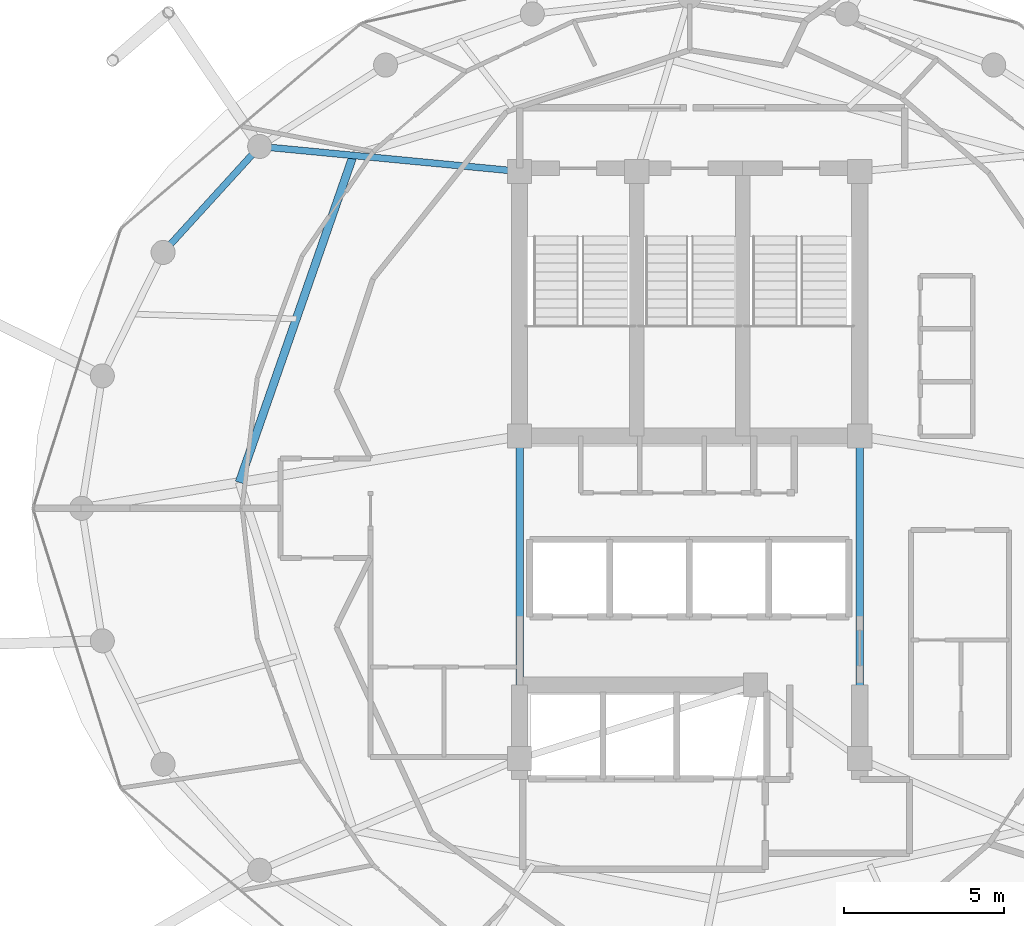
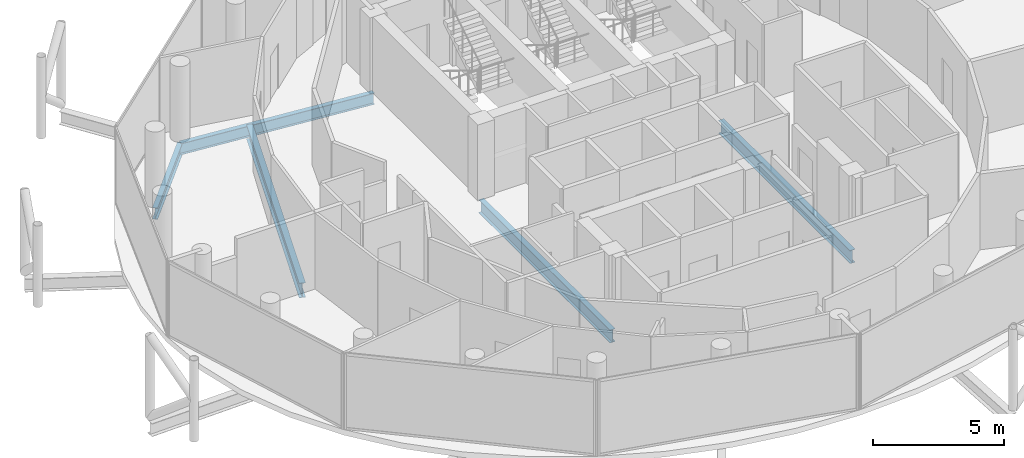
# One storey, part 8 of 24: 5 beams.
"""IFC4 building model written with IfcOpenShell, lengths in metres."""

import ifcopenshell
import ifcopenshell.guid

model = None  # the IFC model being written
_history = None  # IfcOwnerHistory: only IFC2X3 demands one
_inside = {}  # id of a spatial element -> (the spatial element, [elements in it])
_under = {}  # id of a project, library or spatial element -> (it, [spatial elements below it])
_declared = {}  # id of a project -> (the project, [libraries it declares])
_typed = {}  # id of a type object -> (the type object, [elements of that type])
_made_of = {}  # id of a material, layer set ... -> (it, [elements and type objects made of it])


def new_model(schema):
    """Start an empty IFC model of exactly this schema.

    Asked for "IFC4X3", IfcOpenShell would pick the latest addendum, in which some entities
    have other attributes; the version numbers below select the first issue.
    IFC2X3 requires an IfcOwnerHistory on every rooted entity: one is made here for all.
    """
    global model, _history
    if schema == "IFC4X3":
        model = ifcopenshell.file(schema_version=(4, 3, 0, 0))
    else:
        model = ifcopenshell.file(schema=schema)
    _inside.clear()
    _under.clear()
    _declared.clear()
    _typed.clear()
    _made_of.clear()
    _history = None
    if model.schema == "IFC2X3":
        org = make("IfcOrganization", Name="unknown")
        user = make(
            "IfcPersonAndOrganization",
            ThePerson=make("IfcPerson", FamilyName="unknown"),
            TheOrganization=org,
        )
        app = make(
            "IfcApplication",
            ApplicationDeveloper=org,
            Version="unknown",
            ApplicationFullName="unknown",
            ApplicationIdentifier="unknown",
        )
        _history = make(
            "IfcOwnerHistory",
            OwningUser=user,
            OwningApplication=app,
            ChangeAction="ADDED",
            CreationDate=0,
        )
    return model


def make(cls, **values):
    """One entity of the class cls with the attributes given. An attribute that is None is left unset."""
    return model.create_entity(
        cls, **{name: value for name, value in values.items() if value is not None}
    )


def rooted(cls, **values):
    """An entity with a GlobalId (a new one), such as an element, a storey or a relation."""
    return make(cls, GlobalId=ifcopenshell.guid.new(), OwnerHistory=_history, **values)


def si_unit(unit_type, name, prefix=None):
    """IfcSIUnit, for example si_unit("LENGTHUNIT", "METRE", prefix="MILLI")."""
    return make("IfcSIUnit", UnitType=unit_type, Prefix=prefix, Name=name)


def assignment(units):
    """IfcUnitAssignment: the units of a project."""
    return None if units is None else make("IfcUnitAssignment", Units=units)


def point(xyz):
    """IfcCartesianPoint."""
    return None if xyz is None else make("IfcCartesianPoint", Coordinates=xyz)


def direction(xyz):
    """IfcDirection."""
    return None if xyz is None else make("IfcDirection", DirectionRatios=xyz)


def frame(location, z_axis=None, x_axis=None):
    """IfcAxis2Placement3D, a coordinate frame: its origin and axes. An axis left out is left unset."""
    return make(
        "IfcAxis2Placement3D",
        Location=point(location),
        Axis=direction(z_axis),
        RefDirection=direction(x_axis),
    )


def frame_2d(location, x_axis=None):
    """IfcAxis2Placement2D, a coordinate frame in the plane: its origin and x axis."""
    return make(
        "IfcAxis2Placement2D", Location=point(location), RefDirection=direction(x_axis)
    )


def origin():
    """The frame at (0, 0, 0) with its axes left unset."""
    return frame((0.0, 0.0, 0.0))


def origin_2d():
    """The frame at (0, 0) in the plane with its x axis left unset."""
    return frame_2d((0.0, 0.0))


def place(relative_to, where):
    """IfcLocalPlacement: puts the frame where relative to a parent placement (None: the world)."""
    return make(
        "IfcLocalPlacement", PlacementRelTo=relative_to, RelativePlacement=where
    )


def context(
    kind, dimensions, precision=None, world=None, true_north=None, identifier=None
):
    """IfcGeometricRepresentationContext, for example the 3D "Model" context."""
    return make(
        "IfcGeometricRepresentationContext",
        ContextIdentifier=identifier,
        ContextType=kind,
        CoordinateSpaceDimension=dimensions,
        Precision=precision,
        WorldCoordinateSystem=world,
        TrueNorth=true_north,
    )


def subcontext(parent, identifier, kind, view, scale=None):
    """IfcGeometricRepresentationSubContext, for example "Body" below "Model"."""
    return make(
        "IfcGeometricRepresentationSubContext",
        ContextIdentifier=identifier,
        ContextType=kind,
        ParentContext=parent,
        TargetScale=scale,
        TargetView=view,
    )


def project(units=None, contexts=None):
    """IfcProject with its units and contexts."""
    return rooted(
        "IfcProject",
        Name="project",
        RepresentationContexts=contexts,
        UnitsInContext=assignment(units),
    )


def spatial(cls, under=None, at=None, **own):
    """A site, building, storey or space (cls), placed at a placement, below another one or the project."""
    s = rooted(cls, ObjectPlacement=at, **own)
    if under is not None:
        _under.setdefault(under.id(), (under, []))[1].append(s)
    return s


def profile(cls, at=None, kind="AREA", **sizes):
    """A parametric profile (cls). Its sizes go by their IFC names, for example OverallWidth=200.0."""
    return make(cls, ProfileType=kind, Position=at, **sizes)


def i_section(**sizes):
    """IfcIShapeProfileDef."""
    return profile("IfcIShapeProfileDef", **sizes)


def extrude(swept, where, along, depth):
    """IfcExtrudedAreaSolid: the profile swept, set in the frame where, extruded along a direction by depth."""
    return make(
        "IfcExtrudedAreaSolid",
        SweptArea=swept,
        Position=where,
        ExtrudedDirection=direction(along),
        Depth=depth,
    )


def shape(context_of_items, identifier, shape_type, items):
    """IfcShapeRepresentation: the items that make up one representation, for example the "Body"."""
    return make(
        "IfcShapeRepresentation",
        ContextOfItems=context_of_items,
        RepresentationIdentifier=identifier,
        RepresentationType=shape_type,
        Items=items,
    )


def material(Name=None, Category=None):
    """IfcMaterial."""
    return make("IfcMaterial", Name=Name, Category=Category)


def material_profile(
    of_material, cross_section, Name=None, Category=None, Priority=None
):
    """IfcMaterialProfile: a cross section and its material."""
    return make(
        "IfcMaterialProfile",
        Name=Name,
        Material=of_material,
        Profile=cross_section,
        Priority=Priority,
        Category=Category,
    )


def profile_set(profiles, Name=None, composite=None):
    """IfcMaterialProfileSet."""
    return make(
        "IfcMaterialProfileSet",
        Name=Name,
        MaterialProfiles=profiles,
        CompositeProfile=composite,
    )


def made_of(thing, what):
    """Note that an element or type object is made of a material, layer set ...; save() writes the relation."""
    if what is not None:
        _made_of.setdefault(what.id(), (what, []))[1].append(thing)
    return thing


def type_object(cls, material=None, **own):
    """A type object (cls), such as IfcWallType, which elements share."""
    return made_of(rooted(cls, **own), material)


def element(
    cls,
    number,
    at=None,
    inside=None,
    cuts=None,
    type_object=None,
    material=None,
    context=None,
    identifier="Body",
    shape_type=None,
    held_by="IfcProductDefinitionShape",
    body=None,
    shapes=None,
    **own,
):
    """One element of the class cls, such as IfcWall. Its Tag is "e" and its number.

    at: its placement. inside: the storey or other place that contains it. cuts: it is an
    opening in that element (IfcRelVoidsElement). A single representation is given by context,
    identifier, shape_type and body (its items); several are given by shapes. held_by: the class
    of the entity that holds the representations. save() writes the other relations.
    """
    e = rooted(cls, Tag="e%d" % number, ObjectPlacement=at, **own)
    if body is not None:
        shapes = [shape(context, identifier, shape_type, body)]
    if shapes is not None:
        e.Representation = make(held_by, Representations=shapes)
    if inside is not None:
        _inside.setdefault(inside.id(), (inside, []))[1].append(e)
    if cuts is not None:
        rooted(
            "IfcRelVoidsElement", RelatingBuildingElement=cuts, RelatedOpeningElement=e
        )
    if type_object is not None:
        _typed.setdefault(type_object.id(), (type_object, []))[1].append(e)
    return made_of(e, material)


def aggregate(whole, parts):
    """IfcRelAggregates: a whole, such as a stair, and the parts it consists of."""
    return rooted("IfcRelAggregates", RelatingObject=whole, RelatedObjects=parts)


def save(model, path):
    """Write the relations noted so far, then the file.

    IfcRelAggregates (storeys below a building ...), IfcRelContainedInSpatialStructure (elements
    in a storey), IfcRelDefinesByType, IfcRelAssociatesMaterial and IfcRelDeclares: one each for
    every whole, place, type object, material and project.
    """
    for whole, parts in _under.values():
        aggregate(whole, parts)
    for where, things in _inside.values():
        rooted(
            "IfcRelContainedInSpatialStructure",
            RelatedElements=things,
            RelatingStructure=where,
        )
    for kind, things in _typed.values():
        rooted("IfcRelDefinesByType", RelatedObjects=things, RelatingType=kind)
    for what, things in _made_of.values():
        rooted("IfcRelAssociatesMaterial", RelatedObjects=things, RelatingMaterial=what)
    for by, libraries in _declared.values():
        rooted("IfcRelDeclares", RelatingContext=by, RelatedDefinitions=libraries)
    model.write(path)


model = new_model("IFC4")

# Units and contexts
model_context = context("Model", 3, precision=1e-05, world=origin(), true_north=direction((0.0, 1.0)))
body_context = subcontext(model_context, "Body", "Model", "MODEL_VIEW")
ifc_project = project(units=[si_unit("LENGTHUNIT", "METRE"), si_unit("AREAUNIT", "SQUARE_METRE"), si_unit("VOLUMEUNIT", "CUBIC_METRE"), si_unit("PLANEANGLEUNIT", "RADIAN"), si_unit("MASSUNIT", "GRAM", prefix="KILO")], contexts=[model_context])

# Site, building, storey
site_placement = place(None, origin())
site = spatial("IfcSite", under=ifc_project, at=site_placement, CompositionType="ELEMENT")
building_placement = place(site_placement, origin())
building = spatial("IfcBuilding", under=site, at=building_placement, Name="Nuhasar Tower", CompositionType="ELEMENT")
storey_placement = place(building_placement, frame((0.0, 0.0, 293.60009765625)))
storey = spatial("IfcBuildingStorey", under=building, at=storey_placement, Name="L73", CompositionType="ELEMENT", Elevation=293.60009765625)

# Beams
ifc_material = material(Name="Steel S355", Category="steel")
ifc_material_profile_1 = material_profile(ifc_material, i_section(OverallWidth=0.25390625, OverallDepth=0.68408203125, WebThickness=0.012451171875, FlangeThickness=0.018798828125, at=origin_2d()), Name="W27X94")
ifc_profile_set_1 = profile_set([ifc_material_profile_1], Name="Steel S355")
beam_type_1 = type_object("IfcBeamType", Name="BM-INRING-W27X94", PredefinedType="BEAM", material=ifc_profile_set_1)
beam_1_placement = place(storey_placement, frame((28.51611328125, 37.798095703125, -0.60205078125), z_axis=(-0.329211236979, -0.944256300718, 0.0), x_axis=(0.944256300718, -0.329211236979, 0.0)))
element("IfcBeam", 1, at=beam_1_placement, inside=storey, type_object=beam_type_1, Name="L73 Inner Header Beam 07", PredefinedType="BEAM", context=body_context, shape_type="SweptSolid", body=[
    extrude(i_section(OverallWidth=0.25390625, OverallDepth=0.68408203125, WebThickness=0.012451171875, FlangeThickness=0.018798828125, at=origin_2d()), origin(), (0.0, 0.0, 1.0), 10.78955078125),
])
ifc_material_profile_2 = material_profile(ifc_material, i_section(OverallWidth=0.208984375, OverallDepth=0.528076171875, WebThickness=0.009521484375, FlangeThickness=0.01318359375, at=origin_2d()), Name="W21X55")
ifc_profile_set_2 = profile_set([ifc_material_profile_2], Name="Steel S355")
beam_type_2 = type_object("IfcBeamType", Name="BM-RAD-W21X55", PredefinedType="BEAM", material=ifc_profile_set_2)
beam_2_placement = place(storey_placement, frame((33.699951171875, 37.300048828125, -0.524169921875), z_axis=(-0.99542073054, 0.095590633496, 0.0), x_axis=(-0.095590633496, -0.99542073054, 0.0)))
element("IfcBeam", 2, at=beam_2_placement, inside=storey, type_object=beam_type_2, Name="L73 Radial Floor Girder 07", PredefinedType="BEAM", context=body_context, shape_type="SweptSolid", body=[
    extrude(i_section(OverallWidth=0.208984375, OverallDepth=0.528076171875, WebThickness=0.009521484375, FlangeThickness=0.01318359375, at=origin_2d()), origin(), (0.0, 0.0, 1.0), 8.13720703125),
])
ifc_material_profile_3 = material_profile(ifc_material, i_section(OverallWidth=0.22900390625, OverallDepth=0.612060546875, WebThickness=0.011962890625, FlangeThickness=0.01953125, at=origin_2d()), Name="W24X84")
ifc_profile_set_3 = profile_set([ifc_material_profile_3], Name="Steel S355")
beam_type_3 = type_object("IfcBeamType", Name="BM-RAD-W24X84", PredefinedType="BEAM", material=ifc_profile_set_3)
for number, where, z_axis, x_axis, name in (
    (3, (44.300048828125, 19.0, -0.566162109375), (0.0, 1.0, 0.0), (-1.0, 0.0, 0.0), "L73 Core Ring Girder 3"),
    (4, (33.699951171875, 29.050048828125, -0.566162109375), (0.0, -1.0, 0.0), (1.0, 0.0, 0.0), "L73 Core Ring Girder 8"),
):
    element("IfcBeam", number, at=place(storey_placement, frame(where, z_axis=z_axis, x_axis=x_axis)), inside=storey, type_object=beam_type_3, Name=name, PredefinedType="BEAM", context=body_context, shape_type="SweptSolid", body=[
        extrude(i_section(OverallWidth=0.22900390625, OverallDepth=0.612060546875, WebThickness=0.011962890625, FlangeThickness=0.01953125, at=origin_2d()), origin(), (0.0, 0.0, 1.0), 10.050048828125),
    ])
ifc_material_profile_4 = material_profile(ifc_material, i_section(OverallWidth=0.2099609375, OverallDepth=0.537109375, WebThickness=0.010986328125, FlangeThickness=0.017333984375, at=origin_2d()), Name="W21X68")
ifc_profile_set_4 = profile_set([ifc_material_profile_4], Name="Steel S355")
beam_type_4 = type_object("IfcBeamType", Name="BM-RING-W21X68", PredefinedType="SPANDREL", material=ifc_profile_set_4)
beam_3_placement = place(storey_placement, frame((25.60009765625, 38.077880859375, -0.529052734375), z_axis=(-0.673686302939, -0.739017432293, 0.0), x_axis=(0.739017432293, -0.673686302939, 0.0)))
element("IfcBeam", 5, at=beam_3_placement, inside=storey, type_object=beam_type_4, Name="L73 Perimeter Ring Spandrel 10", PredefinedType="SPANDREL", context=body_context, shape_type="SweptSolid", body=[
    extrude(i_section(OverallWidth=0.2099609375, OverallDepth=0.537109375, WebThickness=0.010986328125, FlangeThickness=0.017333984375, at=origin_2d()), origin(), (0.0, 0.0, 1.0), 4.469482421875),
])

save(model, "model.ifc")
